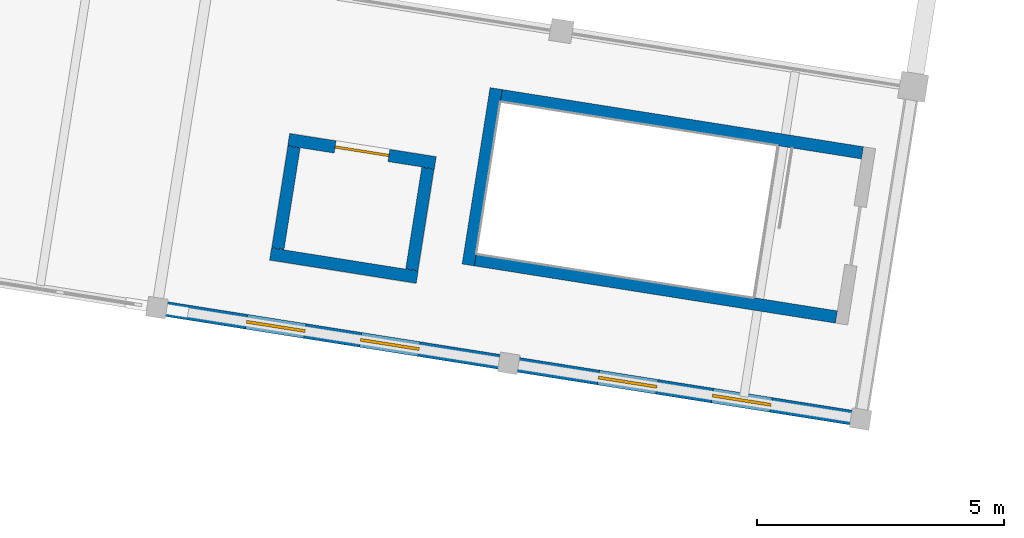
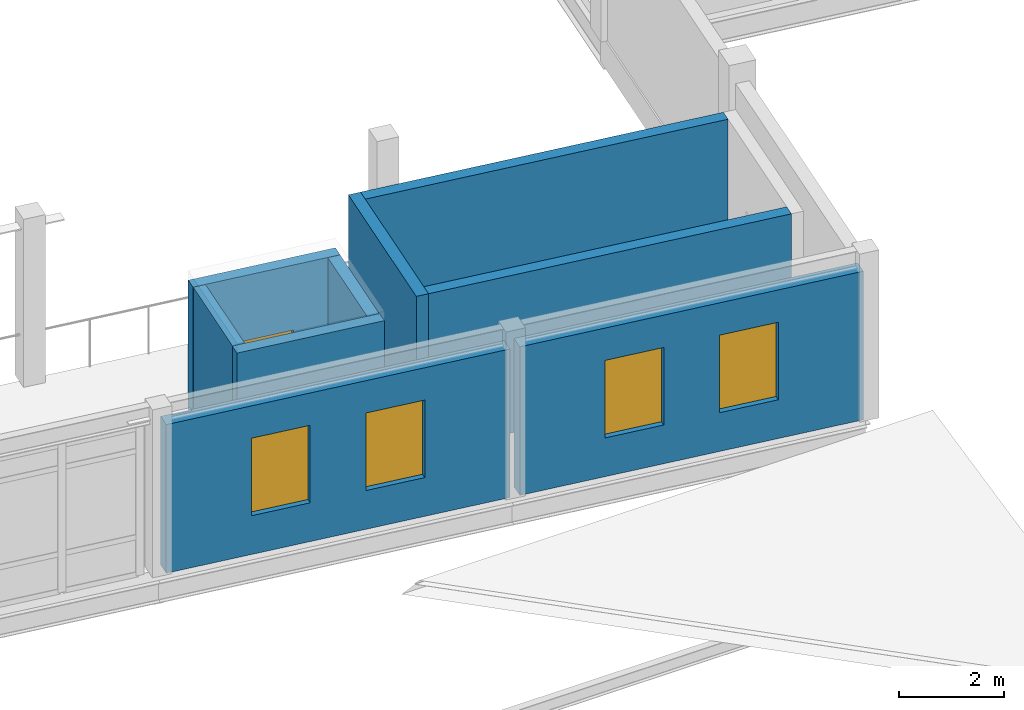
# One storey, part 97 of 117: 9 walls, 4 windows, 1 door, 5 openings.
"""IFC4 building model written with IfcOpenShell, lengths in metres."""

from ifc_helpers import new_model, si_unit, direction, frame, frame_2d, origin, place, context, subcontext, project, spatial, rectangle, extrude, material, layer, layer_set, type_object, element, fill, save


model = new_model("IFC4")

# Units and contexts
model_context = context("Model", 3, precision=1e-05, world=origin(), true_north=direction((0.0, 1.0)))
body_context = subcontext(model_context, "Body", "Model", "MODEL_VIEW")
ifc_project = project(units=[si_unit("LENGTHUNIT", "METRE"), si_unit("AREAUNIT", "SQUARE_METRE"), si_unit("VOLUMEUNIT", "CUBIC_METRE"), si_unit("PLANEANGLEUNIT", "RADIAN"), si_unit("MASSUNIT", "GRAM", prefix="KILO")], contexts=[model_context])

# Site, building, storey
site_placement = place(None, origin())
site = spatial("IfcSite", under=ifc_project, at=site_placement, CompositionType="ELEMENT")
building_placement = place(site_placement, origin())
building = spatial("IfcBuilding", under=site, at=building_placement, Name="Cinderway Yard Community Centre", CompositionType="ELEMENT")
storey_placement = place(building_placement, frame((0.0, 0.0, 9.0)))
storey = spatial("IfcBuildingStorey", under=building, at=storey_placement, Name="L02", CompositionType="ELEMENT", Elevation=9.0)

# Wall, openings, windows
ifc_material_1 = material(Name="Brick Masonry", Category="masonry")
ifc_layer_1 = layer(ifc_material_1, 0.300048828125, Name="Brick Masonry")
ifc_layer_set_1 = layer_set([ifc_layer_1], Name="Brick Masonry")
wall_type_1 = type_object("IfcWallType", Name="ENV-WAL-EXT300", PredefinedType="SOLIDWALL", material=ifc_layer_set_1)
wall_1_placement = place(storey_placement, frame((124.14599609375, 30.14208984375, 0.0), z_axis=(0.0, 0.0, 1.0), x_axis=(0.987690751091, -0.156419245009, 0.0)))
wall_1 = element("IfcWall", 1, at=wall_1_placement, inside=storey, type_object=wall_type_1, Name="Sports South Brick Wall ENV-WAL-L02-0077", PredefinedType="SOLIDWALL", context=body_context, shape_type="SweptSolid", body=[
    extrude(rectangle(XDim=7.000244140625, YDim=0.300048828125, at=frame_2d((3.5, 0.0))), origin(), (0.0, 0.0, 1.0), 3.449951171875),
])
opening_1_placement = place(wall_1_placement, frame((1.73291015625, 0.0, 0.89990234375)))
opening_1 = element("IfcOpeningElement", 2, at=opening_1_placement, cuts=wall_1, Name="Opening W-06", PredefinedType="OPENING", context=body_context, shape_type="SweptSolid", body=[
    extrude(rectangle(XDim=1.199951171875, YDim=1.800048828125, at=frame_2d((0.60009765625, 0.89990234375))), frame((0.0, 0.159912109375, 0.0), z_axis=(0.0, -1.0, 0.0), x_axis=(1.0, 0.0, 0.0)), (0.0, 0.0, 1.0), 0.320068359375),
])
opening_2_placement = place(wall_1_placement, frame((4.06689453125, 0.0, 0.89990234375)))
opening_2 = element("IfcOpeningElement", 3, at=opening_2_placement, cuts=wall_1, Name="Opening W-06", PredefinedType="OPENING", context=body_context, shape_type="SweptSolid", body=[
    extrude(rectangle(XDim=1.199951171875, YDim=1.800048828125, at=frame_2d((0.60009765625, 0.89990234375))), frame((0.0, 0.159912109375, 0.0), z_axis=(0.0, -1.0, 0.0), x_axis=(1.0, 0.0, 0.0)), (0.0, 0.0, 1.0), 0.320068359375),
])
ifc_material_2 = material(Name="Laminated Low-E Glass", Category="glass")
window_type = type_object("IfcWindowType", Name="ENV-WIN-W06", PartitioningType="SINGLE_PANEL", PredefinedType="WINDOW", material=ifc_material_2)
window_1_placement = place(opening_1_placement, origin())
window_1 = element("IfcWindow", 4, at=window_1_placement, inside=storey, type_object=window_type, Name="Exterior window ENV-WIN-L02-0052", OverallHeight=1.800048828125, OverallWidth=1.199951171875, PartitioningType="SINGLE_PANEL", PredefinedType="WINDOW", context=body_context, shape_type="SweptSolid", body=[
    extrude(rectangle(XDim=1.199951171875, YDim=1.800048828125, at=frame_2d((0.60009765625, 0.89990234375))), frame((0.0, 0.030029296875, 0.0), z_axis=(0.0, -1.0, 0.0), x_axis=(1.0, 0.0, 0.0)), (0.0, 0.0, 1.0), 0.06005859375),
])
fill(opening_1, window_1)
window_2_placement = place(opening_2_placement, origin())
window_2 = element("IfcWindow", 5, at=window_2_placement, inside=storey, type_object=window_type, Name="Exterior window ENV-WIN-L02-0053", OverallHeight=1.800048828125, OverallWidth=1.199951171875, PartitioningType="SINGLE_PANEL", PredefinedType="WINDOW", context=body_context, shape_type="SweptSolid", body=[
    extrude(rectangle(XDim=1.199951171875, YDim=1.800048828125, at=frame_2d((0.60009765625, 0.89990234375))), frame((0.0, 0.030029296875, 0.0), z_axis=(0.0, -1.0, 0.0), x_axis=(1.0, 0.0, 0.0)), (0.0, 0.0, 1.0), 0.06005859375),
])
fill(opening_2, window_2)

wall_2_placement = place(storey_placement, frame((131.258056640625, 29.014892578125, 0.0), z_axis=(0.0, 0.0, 1.0), x_axis=(0.987690751091, -0.156419245009, 0.0)))
wall_2 = element("IfcWall", 6, at=wall_2_placement, inside=storey, type_object=wall_type_1, Name="Sports South Brick Wall ENV-WAL-L02-0078", PredefinedType="SOLIDWALL", context=body_context, shape_type="SweptSolid", body=[
    extrude(rectangle(XDim=7.000244140625, YDim=0.300048828125, at=frame_2d((3.5, 0.0))), origin(), (0.0, 0.0, 1.0), 3.449951171875),
])
opening_3_placement = place(wall_2_placement, frame((1.73291015625, 0.0, 0.89990234375)))
opening_3 = element("IfcOpeningElement", 7, at=opening_3_placement, cuts=wall_2, Name="Opening W-06", PredefinedType="OPENING", context=body_context, shape_type="SweptSolid", body=[
    extrude(rectangle(XDim=1.199951171875, YDim=1.800048828125, at=frame_2d((0.60009765625, 0.89990234375))), frame((0.0, 0.159912109375, 0.0), z_axis=(0.0, -1.0, 0.0), x_axis=(1.0, 0.0, 0.0)), (0.0, 0.0, 1.0), 0.320068359375),
])
opening_4_placement = place(wall_2_placement, frame((4.06689453125, 0.0, 0.89990234375)))
opening_4 = element("IfcOpeningElement", 8, at=opening_4_placement, cuts=wall_2, Name="Opening W-06", PredefinedType="OPENING", context=body_context, shape_type="SweptSolid", body=[
    extrude(rectangle(XDim=1.199951171875, YDim=1.800048828125, at=frame_2d((0.60009765625, 0.89990234375))), frame((0.0, 0.159912109375, 0.0), z_axis=(0.0, -1.0, 0.0), x_axis=(1.0, 0.0, 0.0)), (0.0, 0.0, 1.0), 0.320068359375),
])
window_3_placement = place(opening_3_placement, origin())
window_3 = element("IfcWindow", 9, at=window_3_placement, inside=storey, type_object=window_type, Name="Exterior window ENV-WIN-L02-0054", OverallHeight=1.800048828125, OverallWidth=1.199951171875, PartitioningType="SINGLE_PANEL", PredefinedType="WINDOW", context=body_context, shape_type="SweptSolid", body=[
    extrude(rectangle(XDim=1.199951171875, YDim=1.800048828125, at=frame_2d((0.60009765625, 0.89990234375))), frame((0.0, 0.030029296875, 0.0), z_axis=(0.0, -1.0, 0.0), x_axis=(1.0, 0.0, 0.0)), (0.0, 0.0, 1.0), 0.06005859375),
])
fill(opening_3, window_3)
window_4_placement = place(opening_4_placement, origin())
window_4 = element("IfcWindow", 10, at=window_4_placement, inside=storey, type_object=window_type, Name="Exterior window ENV-WIN-L02-0055", OverallHeight=1.800048828125, OverallWidth=1.199951171875, PartitioningType="SINGLE_PANEL", PredefinedType="WINDOW", context=body_context, shape_type="SweptSolid", body=[
    extrude(rectangle(XDim=1.199951171875, YDim=1.800048828125, at=frame_2d((0.60009765625, 0.89990234375))), frame((0.0, 0.030029296875, 0.0), z_axis=(0.0, -1.0, 0.0), x_axis=(1.0, 0.0, 0.0)), (0.0, 0.0, 1.0), 0.06005859375),
])
fill(opening_4, window_4)

# Walls
ifc_material_3 = material(Name="Concrete C40/50", Category="concrete")
ifc_layer_2 = layer(ifc_material_3, 0.25, Name="Concrete C40/50")
ifc_layer_set_2 = layer_set([ifc_layer_2], Name="Concrete C40/50")
wall_type_2 = type_object("IfcWallType", Name="INT-WAL-SHR250", PredefinedType="SHEAR", material=ifc_layer_set_2)
wall_3_placement = place(storey_placement, frame((130.340087890625, 31.01904296875, 0.0), z_axis=(0.0, 0.0, 1.0), x_axis=(0.156518291279, 0.987675060177, 0.0)))
element("IfcWall", 11, at=wall_3_placement, inside=storey, type_object=wall_type_2, Name="Stair ST-07 Back Wall INT-WAL-L02-0170", PredefinedType="SHEAR", context=body_context, shape_type="SweptSolid", body=[
    extrude(rectangle(XDim=3.609375, YDim=0.25, at=frame_2d((1.8046875, 0.0))), origin(), (0.0, 0.0, 1.0), 3.659912109375),
])
for number, where, z_axis, x_axis, name in (
    (12, (137.781982421875, 29.967041015625, 0.0), (0.0, 0.0, 1.0), (-0.98768946156, 0.15642738738, 0.0), "Stair ST-07 Side Wall L INT-WAL-L02-0171"),
    (13, (131.009033203125, 34.44091796875, 0.0), (0.0, 0.0, 1.0), (0.98768946156, -0.15642738738, 0.0), "Stair ST-07 Side Wall R INT-WAL-L02-0172"),
):
    element("IfcWall", number, at=place(storey_placement, frame(where, z_axis=z_axis, x_axis=x_axis)), inside=storey, type_object=wall_type_2, Name=name, PredefinedType="SHEAR", context=body_context, shape_type="SweptSolid", body=[
        extrude(rectangle(XDim=7.39013671875, YDim=0.25, at=frame_2d((3.695068359375, 0.0))), origin(), (0.0, 0.0, 1.0), 3.659912109375),
    ])
wall_4_placement = place(storey_placement, frame((126.344970703125, 31.240966796875, 0.0), z_axis=(0.0, 0.0, 1.0), x_axis=(0.987712782959, -0.156280063921, 0.0)))
element("IfcWall", 14, at=wall_4_placement, inside=storey, type_object=wall_type_2, Name="Lift LF-04 South Wall INT-WAL-L02-0181", PredefinedType="SHEAR", context=body_context, shape_type="SweptSolid", body=[
    extrude(rectangle(XDim=3.0009765625, YDim=0.25, at=frame_2d((1.50048828125, 0.0))), origin(), (0.0, 0.0, 1.0), 3.659912109375),
])

# Wall, opening, door
wall_5_placement = place(storey_placement, frame((129.675048828125, 33.0830078125, 0.0), z_axis=(0.0, 0.0, 1.0), x_axis=(-0.987712782959, 0.156280063921, 0.0)))
wall_5 = element("IfcWall", 15, at=wall_5_placement, inside=storey, type_object=wall_type_2, Name="Lift LF-04 North Wall INT-WAL-L02-0182", PredefinedType="SHEAR", context=body_context, shape_type="SweptSolid", body=[
    extrude(rectangle(XDim=3.0009765625, YDim=0.25, at=frame_2d((1.50048828125, 0.0))), origin(), (0.0, 0.0, 1.0), 3.659912109375),
])
opening_5_placement = place(wall_5_placement, frame((0.949951171875, 0.0, 0.0)))
opening_5 = element("IfcOpeningElement", 16, at=opening_5_placement, cuts=wall_5, Name="Opening LD-01", PredefinedType="OPENING", context=body_context, shape_type="SweptSolid", body=[
    extrude(rectangle(XDim=1.10009765625, YDim=2.14990234375, at=frame_2d((0.550048828125, 1.074951171875))), frame((0.0, 0.135009765625, 0.0), z_axis=(0.0, -1.0, 0.0), x_axis=(1.0, 0.0, 0.0)), (0.0, 0.0, 1.0), 0.27001953125),
])
ifc_material_4 = material(Name="Painted Galvanised Steel", Category="steel")
door_type = type_object("IfcDoorType", Name="INT-DOR-LD01", OperationType="SLIDING_TO_LEFT", PredefinedType="DOOR", material=ifc_material_4)
door_placement = place(opening_5_placement, origin())
door = element("IfcDoor", 17, at=door_placement, inside=storey, type_object=door_type, Name="Lift landing door INT-DOR-L02-0049", OperationType="SLIDING_TO_LEFT", OverallHeight=2.14990234375, OverallWidth=1.10009765625, PredefinedType="DOOR", context=body_context, shape_type="SweptSolid", body=[
    extrude(rectangle(XDim=1.10009765625, YDim=2.14990234375, at=frame_2d((0.550048828125, 1.074951171875))), frame((0.0, 0.02490234375, 0.0), z_axis=(0.0, -1.0, 0.0), x_axis=(1.0, 0.0, 0.0)), (0.0, 0.0, 1.0), 0.050048828125),
])
fill(opening_5, door)

# Walls
wall_6_placement = place(storey_placement, frame((129.199951171875, 30.919921875, 0.0), z_axis=(0.0, 0.0, 1.0), x_axis=(0.156631300583, 0.987657144802, 0.0)))
element("IfcWall", 18, at=wall_6_placement, inside=storey, type_object=wall_type_2, Name="Lift LF-04 East Wall INT-WAL-L02-0183", PredefinedType="SHEAR", context=body_context, shape_type="SweptSolid", body=[
    extrude(rectangle(XDim=2.080810546875, YDim=0.25, at=frame_2d((1.04052734375, 0.0))), origin(), (0.0, 0.0, 1.0), 3.659912109375),
])
wall_7_placement = place(storey_placement, frame((126.820068359375, 33.404052734375, 0.0), z_axis=(0.0, 0.0, 1.0), x_axis=(-0.156763910722, -0.9876361052, 0.0)))
element("IfcWall", 19, at=wall_7_placement, inside=storey, type_object=wall_type_2, Name="Lift LF-04 West Wall INT-WAL-L02-0184", PredefinedType="SHEAR", context=body_context, shape_type="SweptSolid", body=[
    extrude(rectangle(XDim=2.08056640625, YDim=0.25, at=frame_2d((1.040283203125, 0.0))), origin(), (0.0, 0.0, 1.0), 3.659912109375),
])

save(model, "model.ifc")
